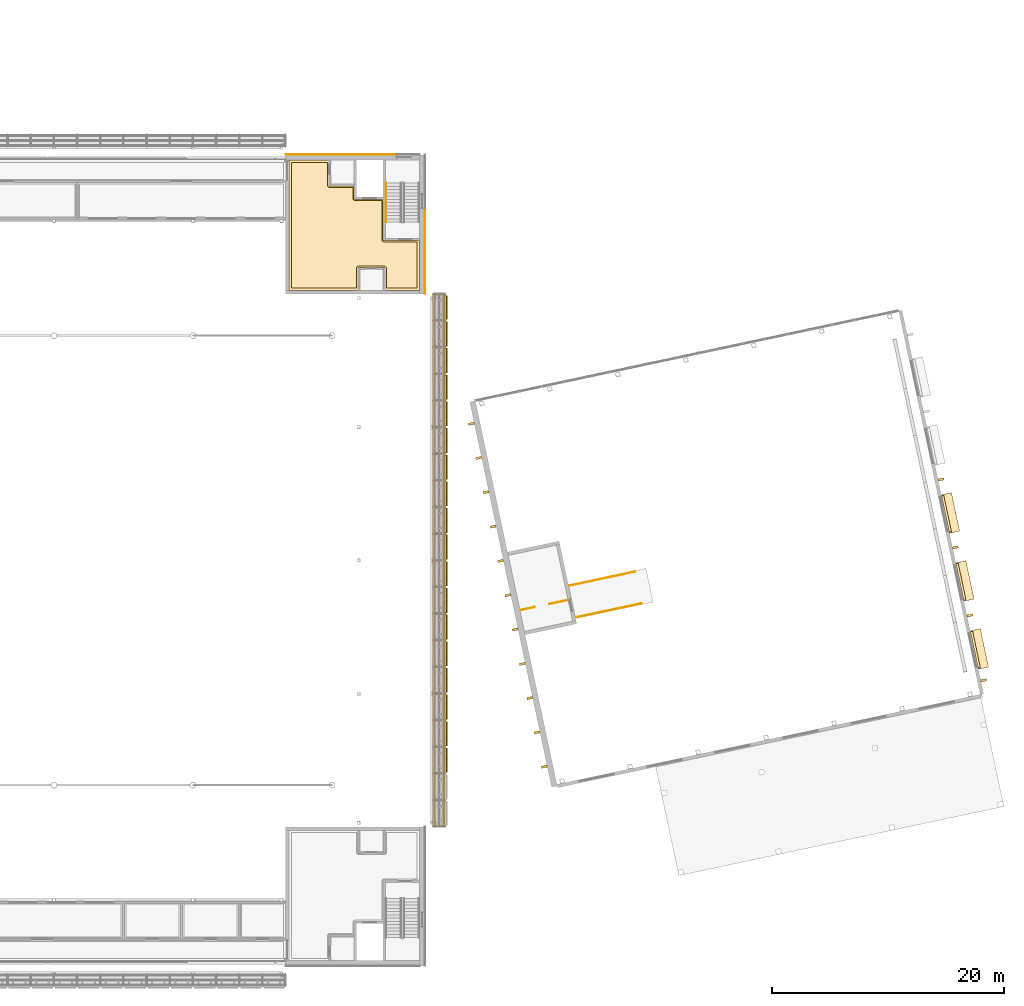
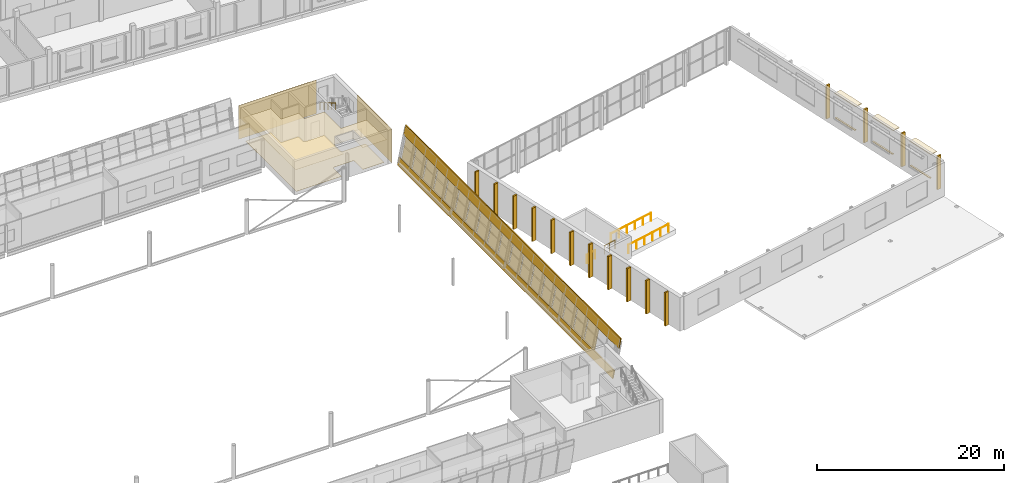
# One storey, part 90 of 95: 33 shading devices, 12 coverings, 5 railings.
"""IFC4 building model written with IfcOpenShell, lengths in metres."""

from ifc_helpers import new_model, si_unit, direction, frame, origin, origin_2d, place, context, subcontext, project, spatial, polyline, circle, outline, extrude, material, layer, layer_set, type_object, element, save


model = new_model("IFC4")

# Units and contexts
model_context = context("Model", 3, precision=1e-05, world=origin(), true_north=direction((0.0, 1.0)))
body_context = subcontext(model_context, "Body", "Model", "MODEL_VIEW")
ifc_project = project(units=[si_unit("LENGTHUNIT", "METRE"), si_unit("AREAUNIT", "SQUARE_METRE"), si_unit("VOLUMEUNIT", "CUBIC_METRE"), si_unit("PLANEANGLEUNIT", "RADIAN"), si_unit("MASSUNIT", "GRAM", prefix="KILO")], contexts=[model_context])

# Site, building, storey
site_placement = place(None, origin())
site = spatial("IfcSite", under=ifc_project, at=site_placement, CompositionType="ELEMENT")
building_placement = place(site_placement, origin())
building = spatial("IfcBuilding", under=site, at=building_placement, Name="Windward Yard Aquatics Centre", CompositionType="ELEMENT")
storey_placement = place(building_placement, frame((0.0, 0.0, 9.39990234375)))
storey = spatial("IfcBuildingStorey", under=building, at=storey_placement, Name="L02", CompositionType="ELEMENT", Elevation=9.39990234375)

# Railings
ifc_material_1 = material(Name="Stainless steel 1.4529", Category="steel")
railing_type_1 = type_object("IfcRailingType", Name="D platform guard 1100", PredefinedType="GUARDRAIL", material=ifc_material_1)
railing_1_placement = place(storey_placement, frame((165.09716796875, 56.088134765625, 0.60009765625)))
element("IfcRailing", 1, at=railing_1_placement, inside=storey, type_object=railing_type_1, Name="D.R.PG4A", PredefinedType="GUARDRAIL", context=body_context, shape_type="SweptSolid", body=[
    extrude(circle(Radius=0.02392578125, at=origin_2d()), frame((0.0, 0.0, 1.076171875), z_axis=(0.978144712341, 0.207925279174, 0.0), x_axis=(-0.207925279174, 0.978144712341, 0.0)), (0.0, 0.0, 1.0), 5.75),
    extrude(circle(Radius=0.02099609375, at=origin_2d()), origin(), (0.0, 0.0, 1.0), 1.052001953125),
    extrude(circle(Radius=0.02099609375, at=origin_2d()), frame((1.124755859375, 0.239013671875, 0.0)), (0.0, 0.0, 1.0), 1.052001953125),
    extrude(circle(Radius=0.02099609375, at=origin_2d()), frame((2.249755859375, 0.478271484375, 0.0)), (0.0, 0.0, 1.0), 1.052001953125),
    extrude(circle(Radius=0.02099609375, at=origin_2d()), frame((3.37451171875, 0.71728515625, 0.0)), (0.0, 0.0, 1.0), 1.052001953125),
    extrude(circle(Radius=0.02099609375, at=origin_2d()), frame((4.49951171875, 0.95654296875, 0.0)), (0.0, 0.0, 1.0), 1.052001953125),
    extrude(circle(Radius=0.02099609375, at=origin_2d()), frame((5.624267578125, 1.195556640625, 0.0)), (0.0, 0.0, 1.0), 1.052001953125),
])
railing_2_placement = place(storey_placement, frame((164.514892578125, 58.826904296875, 0.60009765625)))
element("IfcRailing", 2, at=railing_2_placement, inside=storey, type_object=railing_type_1, Name="D.R.PG4B", PredefinedType="GUARDRAIL", context=body_context, shape_type="SweptSolid", body=[
    extrude(circle(Radius=0.02392578125, at=origin_2d()), frame((0.0, 0.0, 1.076171875), z_axis=(0.978146547885, 0.207916644023, 0.0), x_axis=(-0.207916644023, 0.978146547885, 0.0)), (0.0, 0.0, 1.0), 5.750244140625),
    extrude(circle(Radius=0.02099609375, at=origin_2d()), origin(), (0.0, 0.0, 1.0), 1.052001953125),
    extrude(circle(Radius=0.02099609375, at=origin_2d()), frame((1.125, 0.239013671875, 0.0)), (0.0, 0.0, 1.0), 1.052001953125),
    extrude(circle(Radius=0.02099609375, at=origin_2d()), frame((2.249755859375, 0.478271484375, 0.0)), (0.0, 0.0, 1.0), 1.052001953125),
    extrude(circle(Radius=0.02099609375, at=origin_2d()), frame((3.374755859375, 0.71728515625, 0.0)), (0.0, 0.0, 1.0), 1.052001953125),
    extrude(circle(Radius=0.02099609375, at=origin_2d()), frame((4.49951171875, 0.95654296875, 0.0)), (0.0, 0.0, 1.0), 1.052001953125),
    extrude(circle(Radius=0.02099609375, at=origin_2d()), frame((5.62451171875, 1.195556640625, 0.0)), (0.0, 0.0, 1.0), 1.052001953125),
])
railing_type_2 = type_object("IfcRailingType", Name="D tower stair guard", PredefinedType="GUARDRAIL", material=ifc_material_1)
railing_3_placement = place(storey_placement, frame((160.31201171875, 56.717041015625, 0.60009765625)))
element("IfcRailing", 3, at=railing_3_placement, inside=storey, type_object=railing_type_2, Name="D.R.TW.S10.1", PredefinedType="GUARDRAIL", context=body_context, shape_type="SweptSolid", body=[
    extrude(circle(Radius=0.02392578125, at=origin_2d()), frame((0.0, 0.0, 1.076171875), z_axis=(0.978137642823, 0.20795853359, 0.0), x_axis=(-0.20795853359, 0.978137642823, 0.0)), (0.0, 0.0, 1.0), 1.19970703125),
    extrude(circle(Radius=0.02099609375, at=origin_2d()), origin(), (0.0, 0.0, 1.0), 1.052001953125),
    extrude(circle(Radius=0.02099609375, at=origin_2d()), frame((1.173583984375, 0.24951171875, 0.0)), (0.0, 0.0, 1.0), 1.052001953125),
])
railing_4_placement = place(storey_placement, frame((162.757080078125, 57.23681640625, 0.60009765625)))
element("IfcRailing", 4, at=railing_4_placement, inside=storey, type_object=railing_type_2, Name="D.R.TW.S10.2", PredefinedType="GUARDRAIL", context=body_context, shape_type="SweptSolid", body=[
    extrude(circle(Radius=0.02392578125, at=origin_2d()), frame((0.0, 0.0, 1.076171875), z_axis=(0.978153647338, 0.207883241746, 0.0), x_axis=(-0.207883241746, 0.978153647338, 0.0)), (0.0, 0.0, 1.0), 1.55029296875),
    extrude(circle(Radius=0.02099609375, at=origin_2d()), origin(), (0.0, 0.0, 1.0), 1.052001953125),
    extrude(circle(Radius=0.02099609375, at=origin_2d()), frame((0.75830078125, 0.1611328125, 0.0)), (0.0, 0.0, 1.0), 1.052001953125),
    extrude(circle(Radius=0.02099609375, at=origin_2d()), frame((1.516357421875, 0.322265625, 0.0)), (0.0, 0.0, 1.0), 1.052001953125),
])

# Shading devices
ifc_material_2 = material(Name="Aluminium fin, powder coated", Category="aluminium")
shading_device_type_1 = type_object("IfcShadingDeviceType", Name="D vertical fin 200x500", PredefinedType="USERDEFINED", material=ifc_material_2)
shading_device_1_placement = place(storey_placement, origin())
element("IfcShadingDevice", 5, at=shading_device_1_placement, inside=storey, type_object=shading_device_type_1, Name="Vertical fin D.W.E.L02.1.1", ObjectType="FIN", PredefinedType="USERDEFINED", context=body_context, shape_type="SweptSolid", body=[
    extrude(outline(polyline([(199.97998046875, 50.697998046875), (200.46923828125, 50.802001953125), (200.5107421875, 50.606201171875), (200.021728515625, 50.502197265625), (199.97998046875, 50.697998046875)])), origin(), (0.0, 0.0, 1.0), 4.35009765625),
])
shading_device_2_placement = place(storey_placement, origin())
element("IfcShadingDevice", 6, at=shading_device_2_placement, inside=storey, type_object=shading_device_type_1, Name="Vertical fin D.W.E.L02.2.1", ObjectType="FIN", PredefinedType="USERDEFINED", context=body_context, shape_type="SweptSolid", body=[
    extrude(outline(polyline([(198.789794921875, 56.2978515625), (199.27880859375, 56.40185546875), (199.320556640625, 56.2060546875), (198.831298828125, 56.102294921875), (198.789794921875, 56.2978515625)])), origin(), (0.0, 0.0, 1.0), 4.35009765625),
])
shading_device_3_placement = place(storey_placement, origin())
element("IfcShadingDevice", 7, at=shading_device_3_placement, inside=storey, type_object=shading_device_type_1, Name="Vertical fin D.W.E.L02.3.1", ObjectType="FIN", PredefinedType="USERDEFINED", context=body_context, shape_type="SweptSolid", body=[
    extrude(outline(polyline([(197.54248046875, 62.166748046875), (198.031494140625, 62.270751953125), (198.072998046875, 62.074951171875), (197.583984375, 61.97119140625), (197.54248046875, 62.166748046875)])), origin(), (0.0, 0.0, 1.0), 4.35009765625),
])
shading_device_4_placement = place(storey_placement, origin())
element("IfcShadingDevice", 8, at=shading_device_4_placement, inside=storey, type_object=shading_device_type_1, Name="Vertical fin D.W.E.L02.4.1", ObjectType="FIN", PredefinedType="USERDEFINED", context=body_context, shape_type="SweptSolid", body=[
    extrude(outline(polyline([(196.294921875, 68.03564453125), (196.783935546875, 68.139404296875), (196.825439453125, 67.94384765625), (196.33642578125, 67.840087890625), (196.294921875, 68.03564453125)])), origin(), (0.0, 0.0, 1.0), 4.35009765625),
])
shading_device_5_placement = place(storey_placement, origin())
element("IfcShadingDevice", 9, at=shading_device_5_placement, inside=storey, type_object=shading_device_type_1, Name="Vertical fin D.W.W.L02.1.1", ObjectType="FIN", PredefinedType="USERDEFINED", context=body_context, shape_type="SweptSolid", body=[
    extrude(outline(polyline([(162.05224609375, 43.23779296875), (162.093994140625, 43.042236328125), (162.5830078125, 43.146240234375), (162.54150390625, 43.341796875), (162.05224609375, 43.23779296875)])), origin(), (0.0, 0.0, 1.0), 4.35009765625),
])
shading_device_6_placement = place(storey_placement, origin())
element("IfcShadingDevice", 10, at=shading_device_6_placement, inside=storey, type_object=shading_device_type_1, Name="Vertical fin D.W.W.L02.1.2", ObjectType="FIN", PredefinedType="USERDEFINED", context=body_context, shape_type="SweptSolid", body=[
    extrude(outline(polyline([(161.4228515625, 46.198974609375), (161.464599609375, 46.00341796875), (161.95361328125, 46.107421875), (161.912109375, 46.302978515625), (161.4228515625, 46.198974609375)])), origin(), (0.0, 0.0, 1.0), 4.35009765625),
])
shading_device_7_placement = place(storey_placement, origin())
element("IfcShadingDevice", 11, at=shading_device_7_placement, inside=storey, type_object=shading_device_type_1, Name="Vertical fin D.W.W.L02.1.3", ObjectType="FIN", PredefinedType="USERDEFINED", context=body_context, shape_type="SweptSolid", body=[
    extrude(outline(polyline([(160.79345703125, 49.16015625), (160.835205078125, 48.964599609375), (161.32421875, 49.068603515625), (161.28271484375, 49.26416015625), (160.79345703125, 49.16015625)])), origin(), (0.0, 0.0, 1.0), 4.35009765625),
])
shading_device_8_placement = place(storey_placement, origin())
element("IfcShadingDevice", 12, at=shading_device_8_placement, inside=storey, type_object=shading_device_type_1, Name="Vertical fin D.W.W.L02.1.4", ObjectType="FIN", PredefinedType="USERDEFINED", context=body_context, shape_type="SweptSolid", body=[
    extrude(outline(polyline([(160.1640625, 52.121337890625), (160.205810546875, 51.925537109375), (160.69482421875, 52.029541015625), (160.6533203125, 52.22509765625), (160.1640625, 52.121337890625)])), origin(), (0.0, 0.0, 1.0), 4.35009765625),
])
shading_device_9_placement = place(storey_placement, origin())
element("IfcShadingDevice", 13, at=shading_device_9_placement, inside=storey, type_object=shading_device_type_1, Name="Vertical fin D.W.W.L02.1.5", ObjectType="FIN", PredefinedType="USERDEFINED", context=body_context, shape_type="SweptSolid", body=[
    extrude(outline(polyline([(159.53466796875, 55.08251953125), (159.576416015625, 54.88671875), (160.0654296875, 54.99072265625), (160.023681640625, 55.186279296875), (159.53466796875, 55.08251953125)])), origin(), (0.0, 0.0, 1.0), 4.35009765625),
])
shading_device_10_placement = place(storey_placement, origin())
element("IfcShadingDevice", 14, at=shading_device_10_placement, inside=storey, type_object=shading_device_type_1, Name="Vertical fin D.W.W.L02.1.6", ObjectType="FIN", PredefinedType="USERDEFINED", context=body_context, shape_type="SweptSolid", body=[
    extrude(outline(polyline([(158.9052734375, 58.04345703125), (158.947021484375, 57.847900390625), (159.43603515625, 57.951904296875), (159.394287109375, 58.1474609375), (158.9052734375, 58.04345703125)])), origin(), (0.0, 0.0, 1.0), 4.35009765625),
])
shading_device_11_placement = place(storey_placement, origin())
element("IfcShadingDevice", 15, at=shading_device_11_placement, inside=storey, type_object=shading_device_type_1, Name="Vertical fin D.W.W.L02.1.7", ObjectType="FIN", PredefinedType="USERDEFINED", context=body_context, shape_type="SweptSolid", body=[
    extrude(outline(polyline([(158.27587890625, 61.004638671875), (158.3173828125, 60.80908203125), (158.806396484375, 60.9130859375), (158.764892578125, 61.108642578125), (158.27587890625, 61.004638671875)])), origin(), (0.0, 0.0, 1.0), 4.35009765625),
])
shading_device_12_placement = place(storey_placement, origin())
element("IfcShadingDevice", 16, at=shading_device_12_placement, inside=storey, type_object=shading_device_type_1, Name="Vertical fin D.W.W.L02.1.8", ObjectType="FIN", PredefinedType="USERDEFINED", context=body_context, shape_type="SweptSolid", body=[
    extrude(outline(polyline([(157.646484375, 63.9658203125), (157.68798828125, 63.770263671875), (158.177001953125, 63.8740234375), (158.135498046875, 64.069580078125), (157.646484375, 63.9658203125)])), origin(), (0.0, 0.0, 1.0), 4.35009765625),
])
shading_device_13_placement = place(storey_placement, origin())
element("IfcShadingDevice", 17, at=shading_device_13_placement, inside=storey, type_object=shading_device_type_1, Name="Vertical fin D.W.W.L02.1.9", ObjectType="FIN", PredefinedType="USERDEFINED", context=body_context, shape_type="SweptSolid", body=[
    extrude(outline(polyline([(157.01708984375, 66.927001953125), (157.05859375, 66.731201171875), (157.547607421875, 66.835205078125), (157.506103515625, 67.031005859375), (157.01708984375, 66.927001953125)])), origin(), (0.0, 0.0, 1.0), 4.35009765625),
])
shading_device_14_placement = place(storey_placement, origin())
element("IfcShadingDevice", 18, at=shading_device_14_placement, inside=storey, type_object=shading_device_type_1, Name="Vertical fin D.W.W.L02.1.10", ObjectType="FIN", PredefinedType="USERDEFINED", context=body_context, shape_type="SweptSolid", body=[
    extrude(outline(polyline([(156.3876953125, 69.887939453125), (156.42919921875, 69.6923828125), (156.918212890625, 69.79638671875), (156.876708984375, 69.991943359375), (156.3876953125, 69.887939453125)])), origin(), (0.0, 0.0, 1.0), 4.35009765625),
])
shading_device_15_placement = place(storey_placement, origin())
element("IfcShadingDevice", 19, at=shading_device_15_placement, inside=storey, type_object=shading_device_type_1, Name="Vertical fin D.W.W.L02.1.11", ObjectType="FIN", PredefinedType="USERDEFINED", context=body_context, shape_type="SweptSolid", body=[
    extrude(outline(polyline([(155.75830078125, 72.84912109375), (155.7998046875, 72.653564453125), (156.288818359375, 72.757568359375), (156.247314453125, 72.953125), (155.75830078125, 72.84912109375)])), origin(), (0.0, 0.0, 1.0), 4.35009765625),
])

# Coverings
ifc_material_3 = material(Name="Aluminium composite hood, powder coated", Category="aluminium")
ifc_layer_1 = layer(ifc_material_3, 0.080078125)
ifc_layer_set_1 = layer_set([ifc_layer_1], Name="D window hood aluminium 3400x900")
covering_type_1 = type_object("IfcCoveringType", Name="D window hood aluminium 3400x900", PredefinedType="CLADDING", material=ifc_layer_set_1)
covering_1_placement = place(storey_placement, frame((0.0, 0.0, 3.9501953125)))
element("IfcCovering", 20, at=covering_1_placement, inside=storey, type_object=covering_type_1, Name="Window hood DW2007", PredefinedType="CLADDING", context=body_context, shape_type="SweptSolid", body=[
    extrude(outline(polyline([(199.080810546875, 54.928466796875), (199.961181640625, 55.115478515625), (200.668212890625, 51.789794921875), (199.787841796875, 51.602783203125), (199.080810546875, 54.928466796875)])), origin(), (0.0, 0.0, 1.0), 0.079833984375),
])
covering_2_placement = place(storey_placement, frame((0.0, 0.0, 3.9501953125)))
element("IfcCovering", 21, at=covering_2_placement, inside=storey, type_object=covering_type_1, Name="Window hood DW2008", PredefinedType="CLADDING", context=body_context, shape_type="SweptSolid", body=[
    extrude(outline(polyline([(197.83349609375, 60.79736328125), (198.7138671875, 60.984375), (199.420654296875, 57.65869140625), (198.540283203125, 57.4716796875), (197.83349609375, 60.79736328125)])), origin(), (0.0, 0.0, 1.0), 0.079833984375),
])
covering_3_placement = place(storey_placement, frame((0.0, 0.0, 3.9501953125)))
element("IfcCovering", 22, at=covering_3_placement, inside=storey, type_object=covering_type_1, Name="Window hood DW2009", PredefinedType="CLADDING", context=body_context, shape_type="SweptSolid", body=[
    extrude(outline(polyline([(196.5859375, 66.666259765625), (197.46630859375, 66.853271484375), (198.173095703125, 63.527587890625), (197.29296875, 63.340576171875), (196.5859375, 66.666259765625)])), origin(), (0.0, 0.0, 1.0), 0.079833984375),
])
ifc_material_4 = material(Name="Limestone sill", Category="masonry")
ifc_layer_2 = layer(ifc_material_4, 0.080078125)
ifc_layer_set_2 = layer_set([ifc_layer_2], Name="D window sill stone 3200x200")
covering_type_2 = type_object("IfcCoveringType", Name="D window sill stone 3200x200", PredefinedType="CLADDING", material=ifc_layer_set_2)
covering_4_placement = place(storey_placement, frame((0.0, 0.0, 0.820068359375)))
element("IfcCovering", 23, at=covering_4_placement, inside=storey, type_object=covering_type_2, Name="Window sill DW2007", PredefinedType="CLADDING", context=body_context, shape_type="SweptSolid", body=[
    extrude(outline(polyline([(199.101806640625, 54.83056640625), (199.29736328125, 54.872314453125), (199.962646484375, 51.7421875), (199.76708984375, 51.700439453125), (199.101806640625, 54.83056640625)])), origin(), (0.0, 0.0, 1.0), 0.080078125),
])
covering_5_placement = place(storey_placement, frame((0.0, 0.0, 0.820068359375)))
element("IfcCovering", 24, at=covering_5_placement, inside=storey, type_object=covering_type_2, Name="Window sill DW2008", PredefinedType="CLADDING", context=body_context, shape_type="SweptSolid", body=[
    extrude(outline(polyline([(197.854248046875, 60.699462890625), (198.0498046875, 60.7412109375), (198.715087890625, 57.611083984375), (198.51953125, 57.5693359375), (197.854248046875, 60.699462890625)])), origin(), (0.0, 0.0, 1.0), 0.080078125),
])
covering_6_placement = place(storey_placement, frame((0.0, 0.0, 0.820068359375)))
element("IfcCovering", 25, at=covering_6_placement, inside=storey, type_object=covering_type_2, Name="Window sill DW2009", PredefinedType="CLADDING", context=body_context, shape_type="SweptSolid", body=[
    extrude(outline(polyline([(196.606689453125, 66.568359375), (196.802490234375, 66.60986328125), (197.4677734375, 63.47998046875), (197.272216796875, 63.438232421875), (196.606689453125, 66.568359375)])), origin(), (0.0, 0.0, 1.0), 0.080078125),
])
ifc_material_5 = material(Name="Polished screed")
ifc_layer_3 = layer(ifc_material_5, 0.0400390625)
ifc_layer_set_3 = layer_set([ifc_layer_3], Name="H Floor Finish Screed 40")
covering_type_3 = type_object("IfcCoveringType", Name="H Floor Finish Screed 40", PredefinedType="FLOORING", material=ifc_layer_set_3)
covering_7_placement = place(storey_placement, origin())
element("IfcCovering", 26, at=covering_7_placement, inside=storey, type_object=covering_type_3, Name="Core Lobby NE floor finish", PredefinedType="FLOORING", context=body_context, shape_type="SweptSolid", body=[
    extrude(outline(polyline([(140.5, 84.5), (140.5, 95.35009765625), (143.60009765625, 95.35009765625), (143.60009765625, 93.39990234375), (143.60107421875, 93.38037109375), (143.608642578125, 93.341796875), (143.62353515625, 93.3056640625), (143.6337890625, 93.288818359375), (143.65869140625, 93.258544921875), (143.68896484375, 93.233642578125), (143.723388671875, 93.215087890625), (143.741943359375, 93.20849609375), (143.780517578125, 93.200927734375), (143.800048828125, 93.199951171875), (145.800048828125, 93.199951171875), (145.801025390625, 92.23046875), (145.80859375, 92.19189453125), (145.815185546875, 92.173583984375), (145.833740234375, 92.138916015625), (145.845458984375, 92.123046875), (145.858642578125, 92.108642578125), (145.888916015625, 92.083740234375), (145.923583984375, 92.065185546875), (145.94189453125, 92.05859375), (145.98046875, 92.051025390625), (146.0, 92.050048828125), (148.300048828125, 92.050048828125), (148.300048828125, 88.699951171875), (148.3037109375, 88.660888671875), (148.315185546875, 88.62353515625), (148.333740234375, 88.5888671875), (148.358642578125, 88.55859375), (148.373046875, 88.54541015625), (148.40576171875, 88.523681640625), (148.44189453125, 88.508544921875), (148.48046875, 88.5009765625), (148.5, 88.5), (151.35009765625, 88.5), (151.35009765625, 84.5), (148.699951171875, 84.5), (148.698974609375, 86.219482421875), (148.69140625, 86.258056640625), (148.684814453125, 86.276611328125), (148.666259765625, 86.31103515625), (148.641357421875, 86.34130859375), (148.611083984375, 86.3662109375), (148.576416015625, 86.384765625), (148.5390625, 86.396240234375), (148.5, 86.39990234375), (146.300048828125, 86.39990234375), (146.280517578125, 86.39892578125), (146.241943359375, 86.391357421875), (146.205810546875, 86.37646484375), (146.173095703125, 86.3544921875), (146.15869140625, 86.34130859375), (146.1337890625, 86.31103515625), (146.115234375, 86.276611328125), (146.103759765625, 86.239013671875), (146.10009765625, 86.199951171875), (146.10009765625, 84.5), (140.5, 84.5)])), origin(), (0.0, 0.0, 1.0), 0.02001953125),
])

# Railing
railing_type_3 = type_object("IfcRailingType", Name="H Handrail Steel 900", PredefinedType="HANDRAIL", material=ifc_material_1)
railing_5_placement = place(storey_placement, frame((148.64990234375, 93.56005859375, 2.369384765625)))
element("IfcRailing", 27, at=railing_5_placement, inside=storey, type_object=railing_type_3, Name="L02 ST4 stair handrail 2", PredefinedType="HANDRAIL", context=body_context, shape_type="SweptSolid", body=[
    extrude(circle(Radius=0.02392578125, at=origin_2d()), frame((0.0, 0.0, 0.8759765625), z_axis=(0.0, -0.855836976705, 0.517245656632), x_axis=(1.0, 0.0, 0.0)), (0.0, 0.0, 1.0), 3.926025390625),
    extrude(circle(Radius=0.02099609375, at=origin_2d()), origin(), (0.0, 0.0, 1.0), 0.851806640625),
    extrude(circle(Radius=0.02099609375, at=origin_2d()), frame((0.0, -0.840087890625, 0.5078125)), (0.0, 0.0, 1.0), 0.851806640625),
    extrude(circle(Radius=0.02099609375, at=origin_2d()), frame((0.0, -1.68017578125, 1.015380859375)), (0.0, 0.0, 1.0), 0.851806640625),
    extrude(circle(Radius=0.02099609375, at=origin_2d()), frame((0.0, -2.52001953125, 1.52294921875)), (0.0, 0.0, 1.0), 0.851806640625),
    extrude(circle(Radius=0.02099609375, at=origin_2d()), frame((0.0, -3.360107421875, 2.03076171875)), (0.0, 0.0, 1.0), 0.851806640625),
])

# Coverings
ifc_material_6 = material(Name="Mineral fibre tile")
ifc_layer_4 = layer(ifc_material_6, 0.02001953125)
ifc_layer_set_4 = layer_set([ifc_layer_4], Name="H Suspended Ceiling 600 x 600")
covering_type_4 = type_object("IfcCoveringType", Name="H Suspended Ceiling 600 x 600", PredefinedType="CEILING", material=ifc_layer_set_4)
covering_8_placement = place(storey_placement, frame((0.0, 0.0, 3.0)))
element("IfcCovering", 28, at=covering_8_placement, inside=storey, type_object=covering_type_4, Name="Core Lobby NE ceiling", PredefinedType="CEILING", context=body_context, shape_type="SweptSolid", body=[
    extrude(outline(polyline([(140.300537109375, 84.300537109375), (140.300537109375, 95.549560546875), (143.724609375, 95.549560546875), (143.724609375, 93.324951171875), (145.8994140625, 93.324462890625), (145.8994140625, 92.14990234375), (148.3994140625, 92.1494140625), (148.3994140625, 88.60009765625), (151.549560546875, 88.599609375), (151.549560546875, 84.300537109375), (148.575439453125, 84.300537109375), (148.575439453125, 86.27490234375), (146.224609375, 86.27490234375), (146.224609375, 84.300537109375), (140.300537109375, 84.300537109375)])), origin(), (0.0, 0.0, 1.0), 0.02001953125),
])
ifc_material_7 = material(Name="Natural limestone cladding", Category="masonry")
ifc_layer_5 = layer(ifc_material_7, 0.0400390625)
ifc_layer_set_5 = layer_set([ifc_layer_5], Name="H natural stone cladding 40")
covering_type_5 = type_object("IfcCoveringType", Name="H natural stone cladding 40", PredefinedType="CLADDING", material=ifc_layer_set_5)
covering_9_placement = place(storey_placement, origin())
element("IfcCovering", 29, at=covering_9_placement, inside=storey, type_object=covering_type_5, Name="Stone cladding panel 25", PredefinedType="CLADDING", context=body_context, shape_type="SweptSolid", body=[
    extrude(outline(polyline([(152.0, 84.0), (152.0400390625, 84.0), (152.0400390625, 91.39990234375), (152.0, 91.39990234375), (152.0, 84.0)])), origin(), (0.0, 0.0, 1.0), 4.400146484375),
])
covering_10_placement = place(storey_placement, origin())
element("IfcCovering", 30, at=covering_10_placement, inside=storey, type_object=covering_type_5, Name="Stone cladding panel 49", PredefinedType="CLADDING", context=body_context, shape_type="SweptSolid", body=[
    extrude(outline(polyline([(140.0, 96.0), (140.0, 96.0400390625), (149.60009765625, 96.0400390625), (149.60009765625, 96.0), (140.0, 96.0)])), origin(), (0.0, 0.0, 1.0), 4.400146484375),
])

# Shading devices
ifc_material_8 = material(Name="Aluminium extruded louvre blades, powder coated", Category="aluminium")
ifc_layer_6 = layer(ifc_material_8, 0.080078125)
ifc_layer_set_6 = layer_set([ifc_layer_6], Name="H storm louvre shutter 2103x3637")
shading_device_type_2 = type_object("IfcShadingDeviceType", Name="H storm louvre shutter 2103x3637", PredefinedType="SHUTTER", material=ifc_layer_set_6)
shading_device_16_placement = place(storey_placement, frame((153.14990234375, 42.6826171875, 0.286865234375), z_axis=(-0.97992466091, 0.0, 0.19936814926), x_axis=(0.0, 1.0, 0.0)))
element("IfcShadingDevice", 31, at=shading_device_16_placement, inside=storey, type_object=shading_device_type_2, Name="Storm louvre E L02 A3", PredefinedType="SHUTTER", context=body_context, shape_type="SweptSolid", body=[
    extrude(outline(polyline([(0.0, 0.0), (2.134766, 0.0), (2.134766, -3.636978), (0.0, -3.636978), (0.0, 0.0)])), origin(), (0.0, 0.0, -1.0), 0.080078125),
])
for number, where, z_axis, x_axis, name in (
    (32, (153.14990234375, 44.982421875, 0.286865234375), (-0.97992466091, 0.0, 0.19936814926), (0.0, 1.0, 0.0), "Storm louvre E L02 A4"),
    (33, (153.14990234375, 47.282470703125, 0.286865234375), (-0.97992466091, 0.0, 0.19936814926), (0.0, 1.0, 0.0), "Storm louvre E L02 A5"),
    (34, (153.14990234375, 49.58251953125, 0.286865234375), (-0.97992466091, 0.0, 0.19936814926), (0.0, 1.0, 0.0), "Storm louvre E L02 A6"),
    (35, (153.14990234375, 51.882568359375, 0.286865234375), (-0.97992466091, 0.0, 0.19936814926), (0.0, 1.0, 0.0), "Storm louvre E L02 A7"),
):
    element("IfcShadingDevice", number, at=place(storey_placement, frame(where, z_axis=z_axis, x_axis=x_axis)), inside=storey, type_object=shading_device_type_2, Name=name, PredefinedType="SHUTTER", context=body_context, shape_type="SweptSolid", body=[
        extrude(outline(polyline([(0.0, 0.0), (2.13501, 0.0), (2.13501, -3.636978), (0.0, -3.636978), (0.0, 0.0)])), origin(), (0.0, 0.0, -1.0), 0.080078125),
    ])
shading_device_17_placement = place(storey_placement, frame((153.14990234375, 54.1826171875, 0.286865234375), z_axis=(-0.97992466091, 0.0, 0.19936814926), x_axis=(0.0, 1.0, 0.0)))
element("IfcShadingDevice", 36, at=shading_device_17_placement, inside=storey, type_object=shading_device_type_2, Name="Storm louvre E L02 A8", PredefinedType="SHUTTER", context=body_context, shape_type="SweptSolid", body=[
    extrude(outline(polyline([(0.0, 0.0), (2.134766, 0.0), (2.134766, -3.636978), (0.0, -3.636978), (0.0, 0.0)])), origin(), (0.0, 0.0, -1.0), 0.080078125),
])
for number, where, z_axis, x_axis, name in (
    (37, (153.14990234375, 56.482421875, 0.286865234375), (-0.97992466091, 0.0, 0.19936814926), (0.0, 1.0, 0.0), "Storm louvre E L02 A9"),
    (38, (153.14990234375, 58.782470703125, 0.286865234375), (-0.97992466091, 0.0, 0.19936814926), (0.0, 1.0, 0.0), "Storm louvre E L02 A10"),
    (39, (153.14990234375, 61.08251953125, 0.286865234375), (-0.97992466091, 0.0, 0.19936814926), (0.0, 1.0, 0.0), "Storm louvre E L02 A11"),
    (40, (153.14990234375, 63.382568359375, 0.286865234375), (-0.97992466091, 0.0, 0.19936814926), (0.0, 1.0, 0.0), "Storm louvre E L02 A12"),
):
    element("IfcShadingDevice", number, at=place(storey_placement, frame(where, z_axis=z_axis, x_axis=x_axis)), inside=storey, type_object=shading_device_type_2, Name=name, PredefinedType="SHUTTER", context=body_context, shape_type="SweptSolid", body=[
        extrude(outline(polyline([(0.0, 0.0), (2.13501, 0.0), (2.13501, -3.636978), (0.0, -3.636978), (0.0, 0.0)])), origin(), (0.0, 0.0, -1.0), 0.080078125),
    ])
shading_device_18_placement = place(storey_placement, frame((153.14990234375, 65.6826171875, 0.286865234375), z_axis=(-0.97992466091, 0.0, 0.19936814926), x_axis=(0.0, 1.0, 0.0)))
element("IfcShadingDevice", 41, at=shading_device_18_placement, inside=storey, type_object=shading_device_type_2, Name="Storm louvre E L02 A13", PredefinedType="SHUTTER", context=body_context, shape_type="SweptSolid", body=[
    extrude(outline(polyline([(0.0, 0.0), (2.134766, 0.0), (2.134766, -3.636978), (0.0, -3.636978), (0.0, 0.0)])), origin(), (0.0, 0.0, -1.0), 0.080078125),
])
for number, where, z_axis, x_axis, name in (
    (42, (153.14990234375, 67.982421875, 0.286865234375), (-0.97992466091, 0.0, 0.19936814926), (0.0, 1.0, 0.0), "Storm louvre E L02 A14"),
    (43, (153.14990234375, 70.282470703125, 0.286865234375), (-0.97992466091, 0.0, 0.19936814926), (0.0, 1.0, 0.0), "Storm louvre E L02 A15"),
    (44, (153.14990234375, 72.58251953125, 0.286865234375), (-0.97992466091, 0.0, 0.19936814926), (0.0, 1.0, 0.0), "Storm louvre E L02 A16"),
    (45, (153.14990234375, 74.882568359375, 0.286865234375), (-0.97992466091, 0.0, 0.19936814926), (0.0, 1.0, 0.0), "Storm louvre E L02 A17"),
):
    element("IfcShadingDevice", number, at=place(storey_placement, frame(where, z_axis=z_axis, x_axis=x_axis)), inside=storey, type_object=shading_device_type_2, Name=name, PredefinedType="SHUTTER", context=body_context, shape_type="SweptSolid", body=[
        extrude(outline(polyline([(0.0, 0.0), (2.13501, 0.0), (2.13501, -3.636978), (0.0, -3.636978), (0.0, 0.0)])), origin(), (0.0, 0.0, -1.0), 0.080078125),
    ])
shading_device_19_placement = place(storey_placement, frame((153.14990234375, 77.1826171875, 0.286865234375), z_axis=(-0.97992466091, 0.0, 0.19936814926), x_axis=(0.0, 1.0, 0.0)))
element("IfcShadingDevice", 46, at=shading_device_19_placement, inside=storey, type_object=shading_device_type_2, Name="Storm louvre E L02 A18", PredefinedType="SHUTTER", context=body_context, shape_type="SweptSolid", body=[
    extrude(outline(polyline([(0.0, 0.0), (2.134766, 0.0), (2.134766, -3.636978), (0.0, -3.636978), (0.0, 0.0)])), origin(), (0.0, 0.0, -1.0), 0.080078125),
])
shading_device_20_placement = place(storey_placement, frame((153.14990234375, 79.482421875, 0.286865234375), z_axis=(-0.97992466091, 0.0, 0.19936814926), x_axis=(0.0, 1.0, 0.0)))
element("IfcShadingDevice", 47, at=shading_device_20_placement, inside=storey, type_object=shading_device_type_2, Name="Storm louvre E L02 A19", PredefinedType="SHUTTER", context=body_context, shape_type="SweptSolid", body=[
    extrude(outline(polyline([(0.0, 0.0), (2.13501, 0.0), (2.13501, -3.636978), (0.0, -3.636978), (0.0, 0.0)])), origin(), (0.0, 0.0, -1.0), 0.080078125),
])
shading_device_21_placement = place(storey_placement, frame((153.14990234375, 81.782470703125, 0.286865234375), z_axis=(-0.97992466091, 0.0, 0.19936814926), x_axis=(0.0, 1.0, 0.0)))
element("IfcShadingDevice", 48, at=shading_device_21_placement, inside=storey, type_object=shading_device_type_2, Name="Storm louvre E L02 A20", PredefinedType="SHUTTER", context=body_context, shape_type="SweptSolid", body=[
    extrude(outline(polyline([(0.0, 0.0), (2.102539, 0.0), (2.102539, -3.636978), (0.0, -3.636978), (0.0, 0.0)])), origin(), (0.0, 0.0, -1.0), 0.080078125),
])

# Coverings
ifc_layer_7 = layer(ifc_material_7, 0.125)
ifc_layer_set_7 = layer_set([ifc_layer_7], Name="H tier stone band 125")
covering_type_6 = type_object("IfcCoveringType", Name="H tier stone band 125", PredefinedType="CLADDING", material=ifc_layer_set_7)
covering_11_placement = place(storey_placement, frame((152.0, 38.0, 13.2001953125), z_axis=(0.0, 1.0, 0.0), x_axis=(-1.0, 0.0, 0.0)))
element("IfcCovering", 49, at=covering_11_placement, inside=storey, type_object=covering_type_6, Name="Tier 1 edge fascia E", PredefinedType="CLADDING", context=body_context, shape_type="SweptSolid", body=[
    extrude(outline(polyline([(-1.546142578125, -10.0), (-1.418701171875, -10.0), (-1.662841796875, -8.800048828125), (-1.790283203125, -8.800048828125), (-1.546142578125, -10.0)])), origin(), (0.0, 0.0, 1.0), 46.0),
])
covering_12_placement = place(storey_placement, frame((152.0, 38.0, 13.2001953125), z_axis=(0.0, 1.0, 0.0), x_axis=(-1.0, 0.0, 0.0)))
element("IfcCovering", 50, at=covering_12_placement, inside=storey, type_object=covering_type_6, Name="Tier 1 spandrel band E", PredefinedType="CLADDING", context=body_context, shape_type="SweptSolid", body=[
    extrude(outline(polyline([(-0.79345703125, -13.699951171875), (-0.666015625, -13.699951171875), (-0.869384765625, -12.699951171875), (-0.996826171875, -12.699951171875), (-0.79345703125, -13.699951171875)])), origin(), (0.0, 0.0, 1.0), 46.0),
])

save(model, "model.ifc")
